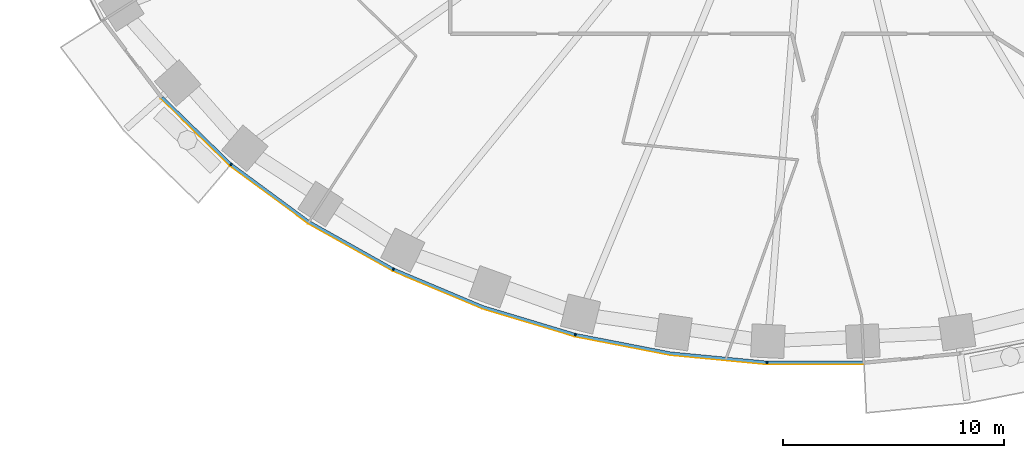
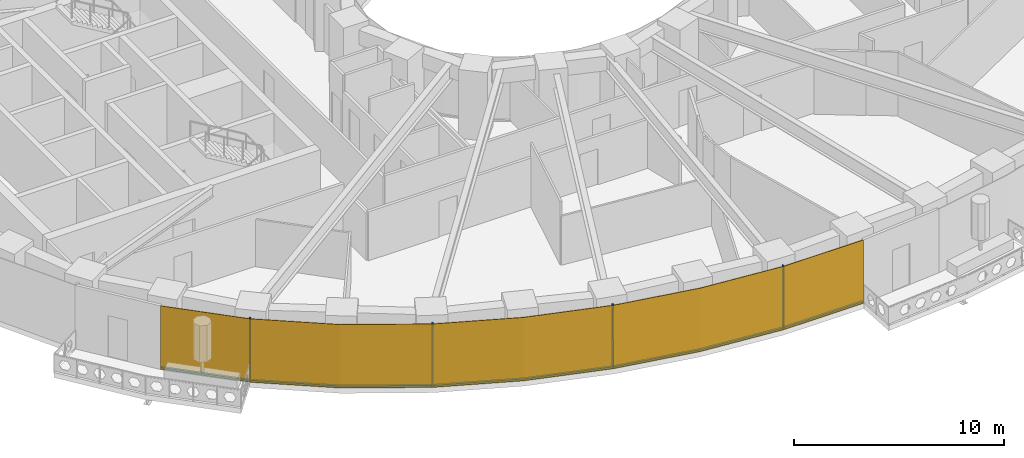
# One storey, part 8 of 16: 9 members, 1 curtain wall.
"""IFC4 building model written with IfcOpenShell, lengths in metres."""

from ifc_helpers import new_model, si_unit, direction, frame, origin, origin_2d, place, context, subcontext, project, spatial, polyline, rectangle, outline, extrude, material, layer, layer_set, material_profile, profile_set, type_object, element, aggregate, save


model = new_model("IFC4")

# Units and contexts
model_context = context("Model", 3, precision=1e-05, world=origin(), true_north=direction((0.0, 1.0)))
body_context = subcontext(model_context, "Body", "Model", "MODEL_VIEW")
ifc_project = project(units=[si_unit("LENGTHUNIT", "METRE"), si_unit("AREAUNIT", "SQUARE_METRE"), si_unit("VOLUMEUNIT", "CUBIC_METRE"), si_unit("PLANEANGLEUNIT", "RADIAN"), si_unit("MASSUNIT", "GRAM", prefix="KILO")], contexts=[model_context])

# Member
ifc_material_1 = material(Name="Aluminium 6063-T6 black anodised", Category="aluminium")
ifc_material_profile = material_profile(ifc_material_1, rectangle(XDim=0.1201171875, YDim=0.06005859375, at=origin_2d()), Name="120x60")
ifc_profile_set = profile_set([ifc_material_profile], Name="Aluminium 6063-T6 black anodised")
member_type_1 = type_object("IfcMemberType", Name="ENV-MULLION-A-120", PredefinedType="MULLION", material=ifc_profile_set)
site_placement = place(None, origin())
building_placement = place(site_placement, origin())
storey_placement = place(building_placement, frame((0.0, 0.0, 42.5)))
member_1_placement = place(storey_placement, frame((-26.403564453125, -18.9130859375, 0.0), z_axis=(0.0, 0.0, 1.0), x_axis=(0.646451313783, 0.762955240435, 0.0)))
member_1 = element("IfcMember", 1, at=member_1_placement, type_object=member_type_1, Name="Mullion A radial 29", PredefinedType="MULLION", context=body_context, shape_type="SweptSolid", body=[
    extrude(rectangle(XDim=0.1201171875, YDim=0.06005859375, at=origin_2d()), origin(), (0.0, 0.0, 1.0), 3.699951171875),
])

member_2_placement = place(storey_placement, frame((-19.06787109375, -23.6474609375, 0.0), z_axis=(0.0, 0.0, 1.0), x_axis=(0.439237769837, 0.898370848563, 0.0)))
member_2 = element("IfcMember", 2, at=member_2_placement, type_object=member_type_1, Name="Mullion A radial 31", PredefinedType="MULLION", context=body_context, shape_type="SweptSolid", body=[
    extrude(rectangle(XDim=0.1201171875, YDim=0.06005859375, at=origin_2d()), origin(), (0.0, 0.0, 1.0), 3.699951171875),
])

member_3_placement = place(storey_placement, frame((-10.84326171875, -26.60498046875, 0.0), z_axis=(0.0, 0.0, 1.0), x_axis=(0.239799081534, 0.970822538106, 0.0)))
member_3 = element("IfcMember", 3, at=member_3_placement, type_object=member_type_1, Name="Mullion A radial 33", PredefinedType="MULLION", context=body_context, shape_type="SweptSolid", body=[
    extrude(rectangle(XDim=0.1201171875, YDim=0.06005859375, at=origin_2d()), origin(), (0.0, 0.0, 1.0), 3.699951171875),
])

member_4_placement = place(storey_placement, frame((-2.188720703125, -27.856201171875, 0.0), z_axis=(0.0, 0.0, 1.0), x_axis=(0.047557873581, 0.998868484166, 0.0)))
member_4 = element("IfcMember", 4, at=member_4_placement, type_object=member_type_1, Name="Mullion A radial 35", PredefinedType="MULLION", context=body_context, shape_type="SweptSolid", body=[
    extrude(rectangle(XDim=0.1201171875, YDim=0.06005859375, at=origin_2d()), origin(), (0.0, 0.0, 1.0), 3.699951171875),
])

ifc_material_2 = material(Name="Aluminium 6063-T6 black anodised", Category="aluminium")
member_type_2 = type_object("IfcMemberType", Name="ENV-TRANSOM-A", PredefinedType="USERDEFINED", material=ifc_material_2)
member_5_placement = place(storey_placement, origin())
member_5 = element("IfcMember", 5, at=member_5_placement, type_object=member_type_2, Name="Transom A radial 28-29", ObjectType="TRANSOM", PredefinedType="USERDEFINED", context=body_context, shape_type="SweptSolid", body=[
    extrude(outline(polyline([(-29.569091796875, -15.9208984375), (-26.46240234375, -18.939208984375), (-26.384765625, -18.847412109375), (-29.47900390625, -15.841064453125), (-29.569091796875, -15.9208984375)])), origin(), (0.0, 0.0, 1.0), 0.10009765625),
])

member_6_placement = place(storey_placement, origin())
member_6 = element("IfcMember", 6, at=member_6_placement, type_object=member_type_2, Name="Transom A radial 29-31", ObjectType="TRANSOM", PredefinedType="USERDEFINED", context=body_context, shape_type="SweptSolid", body=[
    extrude(outline(polyline([(-26.419921875, -18.975341796875), (-22.9150390625, -21.556884765625), (-19.11865234375, -23.687744140625), (-19.06591796875, -23.57958984375), (-22.85009765625, -21.455810546875), (-26.342041015625, -18.883544921875), (-26.419921875, -18.975341796875)])), origin(), (0.0, 0.0, 1.0), 0.10009765625),
])

member_7_placement = place(storey_placement, origin())
member_7 = element("IfcMember", 7, at=member_7_placement, type_object=member_type_2, Name="Transom A radial 31-33", ObjectType="TRANSOM", PredefinedType="USERDEFINED", context=body_context, shape_type="SweptSolid", body=[
    extrude(outline(polyline([(-19.068359375, -23.71240234375), (-15.054443359375, -25.400146484375), (-10.884521484375, -26.655029296875), (-10.855712890625, -26.53857421875), (-15.013916015625, -25.287109375), (-19.015380859375, -23.604248046875), (-19.068359375, -23.71240234375)])), origin(), (0.0, 0.0, 1.0), 0.10009765625),
])

member_8_placement = place(storey_placement, origin())
member_8 = element("IfcMember", 8, at=member_8_placement, type_object=member_type_2, Name="Transom A radial 33-35", ObjectType="TRANSOM", PredefinedType="USERDEFINED", context=body_context, shape_type="SweptSolid", body=[
    extrude(outline(polyline([(-10.830078125, -26.66845703125), (-6.55517578125, -27.49951171875), (-2.219482421875, -27.913330078125), (-2.2138671875, -27.793212890625), (-6.537841796875, -27.380615234375), (-10.80126953125, -26.552001953125), (-10.830078125, -26.66845703125)])), origin(), (0.0, 0.0, 1.0), 0.10009765625),
])

member_9_placement = place(storey_placement, origin())
member_9 = element("IfcMember", 9, at=member_9_placement, type_object=member_type_2, Name="Transom A radial 35-36", ObjectType="TRANSOM", PredefinedType="USERDEFINED", context=body_context, shape_type="SweptSolid", body=[
    extrude(outline(polyline([(-2.163818359375, -27.916015625), (2.171630859375, -27.916015625), (2.166015625, -27.7958984375), (-2.157958984375, -27.7958984375), (-2.163818359375, -27.916015625)])), origin(), (0.0, 0.0, 1.0), 0.10009765625),
])

# Site, building, storey
site = spatial("IfcSite", under=ifc_project, at=site_placement, CompositionType="ELEMENT")
building = spatial("IfcBuilding", under=site, at=building_placement, Name="Noorbagh Ring Tower", CompositionType="ELEMENT")
storey = spatial("IfcBuildingStorey", under=building, at=storey_placement, Name="L08", CompositionType="ELEMENT", Elevation=42.5)

# Curtain wall
ifc_material_3 = material(Name="Glass dark tinted laminated", Category="glass")
ifc_layer = layer(ifc_material_3, 0.031982421875)
ifc_layer_set = layer_set([ifc_layer], Name="Glass dark tinted laminated")
curtain_wall_type = type_object("IfcCurtainWallType", Name="ENV-CW-A", PredefinedType="NOTDEFINED", material=ifc_layer_set)
curtain_wall_placement = place(storey_placement, origin())
curtain_wall = element("IfcCurtainWall", 10, at=curtain_wall_placement, inside=storey, type_object=curtain_wall_type, Name="Curtain wall A R28", PredefinedType="NOTDEFINED", context=body_context, shape_type="SweptSolid", body=[
    extrude(outline(polyline([(-29.59326171875, -15.942138671875), (-26.463134765625, -18.9833984375), (-22.9326171875, -21.583740234375), (-19.108154296875, -23.730224609375), (-15.065185546875, -25.430419921875), (-10.865234375, -26.6943359375), (-6.559814453125, -27.53125), (-2.193115234375, -27.947998046875), (2.173095703125, -27.947998046875), (2.171630859375, -27.916015625), (-2.191650390625, -27.916015625), (-6.55517578125, -27.49951171875), (-10.857666015625, -26.6630859375), (-15.054443359375, -25.400146484375), (-19.093994140625, -23.701416015625), (-22.9150390625, -21.556884765625), (-26.4423828125, -18.958740234375), (-29.569091796875, -15.9208984375), (-29.59326171875, -15.942138671875)])), origin(), (0.0, 0.0, 1.0), 3.699951171875),
])

aggregate(curtain_wall, [member_1, member_2, member_3, member_4, member_5, member_6, member_7, member_8, member_9])

save(model, "model.ifc")
